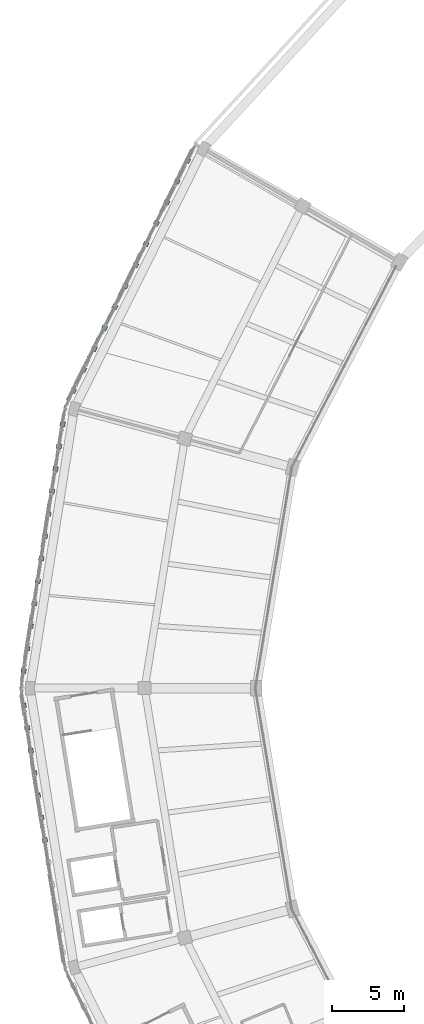
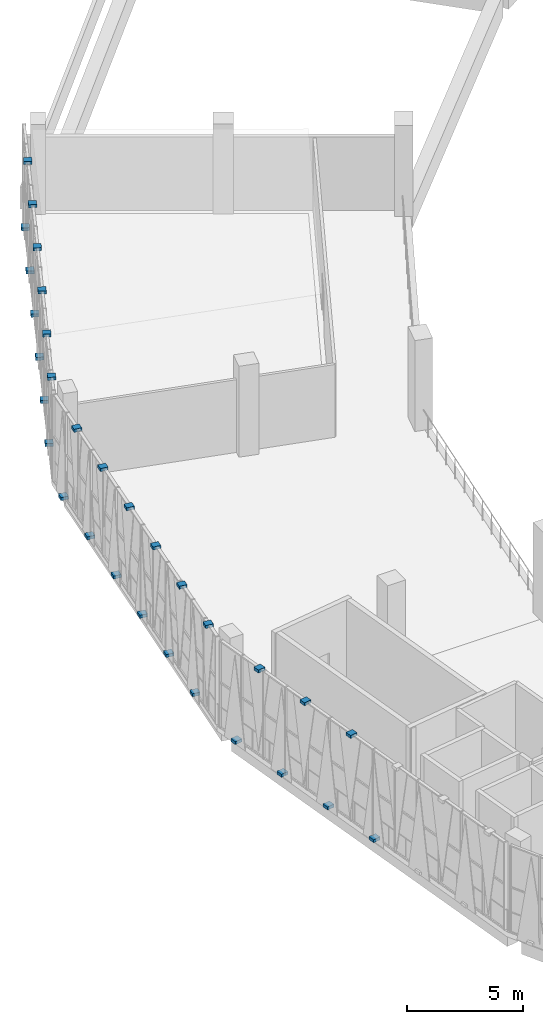
# One storey, part 52 of 64: 31 discrete accessories.
"""IFC4 building model written with IfcOpenShell, lengths in metres."""

from ifc_helpers import new_model, si_unit, direction, frame, origin, origin_2d, place, context, subcontext, project, spatial, rectangle, extrude, material, layer, layer_set, type_object, element, save


model = new_model("IFC4")

# Units and contexts
model_context = context("Model", 3, precision=1e-05, world=origin(), true_north=direction((0.0, 1.0)))
body_context = subcontext(model_context, "Body", "Model", "MODEL_VIEW")
ifc_project = project(units=[si_unit("LENGTHUNIT", "METRE"), si_unit("AREAUNIT", "SQUARE_METRE"), si_unit("VOLUMEUNIT", "CUBIC_METRE"), si_unit("PLANEANGLEUNIT", "RADIAN"), si_unit("MASSUNIT", "GRAM", prefix="KILO")], contexts=[model_context])

# Site, building, storey
site_placement = place(None, origin())
site = spatial("IfcSite", under=ifc_project, at=site_placement, CompositionType="ELEMENT")
building_placement = place(site_placement, origin())
building = spatial("IfcBuilding", under=site, at=building_placement, Name="Zevraka Park Crest Stadium", CompositionType="ELEMENT")
storey_placement = place(building_placement, frame((0.0, 0.0, 24.60009765625)))
storey = spatial("IfcBuildingStorey", under=building, at=storey_placement, Name="L05", CompositionType="ELEMENT", Elevation=24.60009765625)

# Discrete accessories
ifc_material = material(Name="Galvanised steel bracketry", Category="steel")
ifc_layer = layer(ifc_material, 0.1201171875)
ifc_layer_set = layer_set([ifc_layer], Name="Galvanised steel bracketry")
discrete_accessory_type = type_object("IfcDiscreteAccessoryType", Name="BRK01", PredefinedType="BRACKET", material=ifc_layer_set)
for number, where, z_axis, x_axis, name in (
    (1, (32.68408203125, 128.840087890625, -0.16015625), (0.0, 0.0, 1.0), (-0.444322489715, -0.895866912623, 0.0), "Bronze Screen Carrier Bracket BRK01 L05-10-1"),
    (2, (31.9599609375, 127.37890625, 4.47998046875), (0.0, 0.0, 1.0), (-0.444322489715, -0.895866912623, 0.0), "Bronze Screen Carrier Bracket BRK01 L05-10-2"),
    (3, (31.235107421875, 125.9189453125, -0.16015625), (0.0, 0.0, 1.0), (-0.444322489715, -0.895866912623, 0.0), "Bronze Screen Carrier Bracket BRK01 L05-10-3"),
    (4, (30.510986328125, 124.458984375, 4.47998046875), (0.0, 0.0, 1.0), (-0.444322489715, -0.895866912623, 0.0), "Bronze Screen Carrier Bracket BRK01 L05-10-4"),
    (5, (29.787109375, 122.998046875, -0.16015625), (0.0, 0.0, 1.0), (-0.444322489715, -0.895866912623, 0.0), "Bronze Screen Carrier Bracket BRK01 L05-10-5"),
    (6, (29.06298828125, 121.5380859375, 4.47998046875), (0.0, 0.0, 1.0), (-0.444322489715, -0.895866912623, 0.0), "Bronze Screen Carrier Bracket BRK01 L05-10-6"),
    (7, (28.337890625, 120.077880859375, -0.16015625), (0.0, 0.0, 1.0), (-0.444322489715, -0.895866912623, 0.0), "Bronze Screen Carrier Bracket BRK01 L05-10-7"),
    (8, (27.614013671875, 118.617919921875, 4.47998046875), (0.0, 0.0, 1.0), (-0.444322489715, -0.895866912623, 0.0), "Bronze Screen Carrier Bracket BRK01 L05-10-8"),
    (9, (26.889892578125, 117.156982421875, -0.16015625), (0.0, 0.0, 1.0), (-0.444322489715, -0.895866912623, 0.0), "Bronze Screen Carrier Bracket BRK01 L05-10-9"),
    (10, (26.166015625, 115.697021484375, 4.47998046875), (0.0, 0.0, 1.0), (-0.444322489715, -0.895866912623, 0.0), "Bronze Screen Carrier Bracket BRK01 L05-10-10"),
    (11, (25.44091796875, 114.237060546875, -0.16015625), (0.0, 0.0, 1.0), (-0.444322489715, -0.895866912623, 0.0), "Bronze Screen Carrier Bracket BRK01 L05-10-11"),
    (12, (24.717041015625, 112.77587890625, 4.47998046875), (0.0, 0.0, 1.0), (-0.444322489715, -0.895866912623, 0.0), "Bronze Screen Carrier Bracket BRK01 L05-10-12"),
    (13, (23.967041015625, 110.43408203125, -0.16015625), (0.0, 0.0, 1.0), (-0.155744890433, -0.987797311752, 0.0), "Bronze Screen Carrier Bracket BRK01 L05-11-1"),
    (14, (23.719970703125, 108.868896484375, 4.47998046875), (0.0, 0.0, 1.0), (-0.155744890433, -0.987797311752, 0.0), "Bronze Screen Carrier Bracket BRK01 L05-11-2"),
    (15, (23.472900390625, 107.303955078125, -0.16015625), (0.0, 0.0, 1.0), (-0.155744890433, -0.987797311752, 0.0), "Bronze Screen Carrier Bracket BRK01 L05-11-3"),
    (16, (23.22607421875, 105.739013671875, 4.47998046875), (0.0, 0.0, 1.0), (-0.155744890433, -0.987797311752, 0.0), "Bronze Screen Carrier Bracket BRK01 L05-11-4"),
    (17, (22.97998046875, 104.174072265625, -0.16015625), (0.0, 0.0, 1.0), (-0.155744890433, -0.987797311752, 0.0), "Bronze Screen Carrier Bracket BRK01 L05-11-5"),
    (18, (22.73291015625, 102.60888671875, 4.47998046875), (0.0, 0.0, 1.0), (-0.155744890433, -0.987797311752, 0.0), "Bronze Screen Carrier Bracket BRK01 L05-11-6"),
    (19, (22.486083984375, 101.04296875, -0.16015625), (0.0, 0.0, 1.0), (-0.155744890433, -0.987797311752, 0.0), "Bronze Screen Carrier Bracket BRK01 L05-11-7"),
    (20, (22.239013671875, 99.47802734375, 4.47998046875), (0.0, 0.0, 1.0), (-0.155744890433, -0.987797311752, 0.0), "Bronze Screen Carrier Bracket BRK01 L05-11-8"),
    (21, (21.992919921875, 97.9130859375, -0.16015625), (0.0, 0.0, 1.0), (-0.155744890433, -0.987797311752, 0.0), "Bronze Screen Carrier Bracket BRK01 L05-11-9"),
    (22, (21.74609375, 96.347900390625, 4.47998046875), (0.0, 0.0, 1.0), (-0.155744890433, -0.987797311752, 0.0), "Bronze Screen Carrier Bracket BRK01 L05-11-10"),
    (23, (21.4990234375, 94.782958984375, -0.16015625), (0.0, 0.0, 1.0), (-0.155744890433, -0.987797311752, 0.0), "Bronze Screen Carrier Bracket BRK01 L05-11-11"),
    (24, (21.251953125, 93.218017578125, 4.47998046875), (0.0, 0.0, 1.0), (-0.155744890433, -0.987797311752, 0.0), "Bronze Screen Carrier Bracket BRK01 L05-11-12"),
    (25, (21.251953125, 90.781982421875, -0.16015625), (0.0, 0.0, 1.0), (0.155744890433, -0.987797311752, 0.0), "Bronze Screen Carrier Bracket BRK01 L05-12-1"),
    (26, (21.4990234375, 89.217041015625, 4.47998046875), (0.0, 0.0, 1.0), (0.155744890433, -0.987797311752, 0.0), "Bronze Screen Carrier Bracket BRK01 L05-12-2"),
    (27, (21.74609375, 87.652099609375, -0.16015625), (0.0, 0.0, 1.0), (0.155744890433, -0.987797311752, 0.0), "Bronze Screen Carrier Bracket BRK01 L05-12-3"),
    (28, (21.992919921875, 86.0869140625, 4.47998046875), (0.0, 0.0, 1.0), (0.155744890433, -0.987797311752, 0.0), "Bronze Screen Carrier Bracket BRK01 L05-12-4"),
    (29, (22.239013671875, 84.52197265625, -0.16015625), (0.0, 0.0, 1.0), (0.155744890433, -0.987797311752, 0.0), "Bronze Screen Carrier Bracket BRK01 L05-12-5"),
    (30, (22.486083984375, 82.95703125, 4.47998046875), (0.0, 0.0, 1.0), (0.155744890433, -0.987797311752, 0.0), "Bronze Screen Carrier Bracket BRK01 L05-12-6"),
    (31, (22.73291015625, 81.39111328125, -0.16015625), (0.0, 0.0, 1.0), (0.155744890433, -0.987797311752, 0.0), "Bronze Screen Carrier Bracket BRK01 L05-12-7"),
):
    element("IfcDiscreteAccessory", number, at=place(storey_placement, frame(where, z_axis=z_axis, x_axis=x_axis)), inside=storey, type_object=discrete_accessory_type, Name=name, PredefinedType="BRACKET", context=body_context, shape_type="SweptSolid", body=[
        extrude(rectangle(XDim=0.320068359375, YDim=0.360107421875, at=origin_2d()), origin(), (0.0, 0.0, 1.0), 0.159912109375),
    ])

save(model, "model.ifc")
